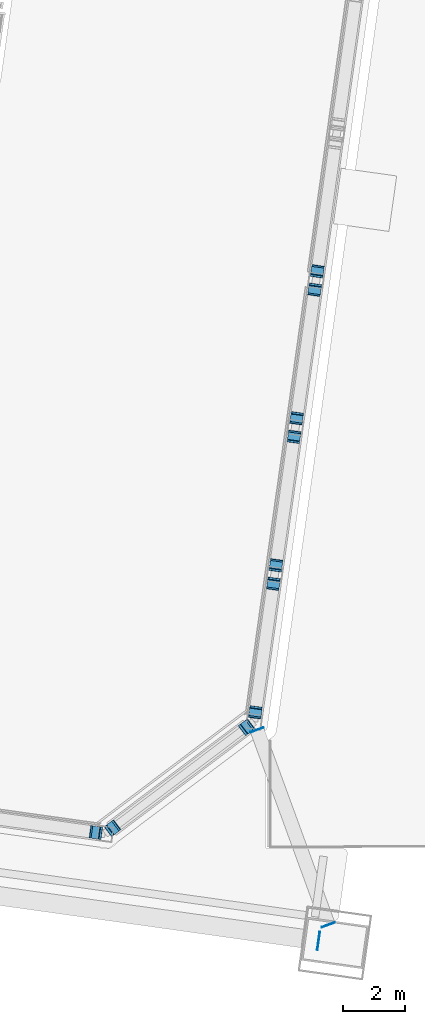
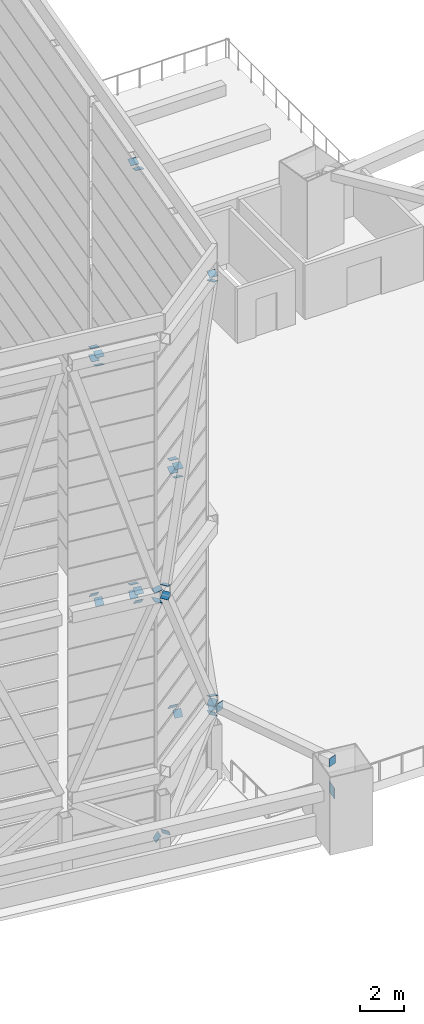
# One storey, part 32 of 45: 33 discrete accessories.
"""IFC4 building model written with IfcOpenShell, lengths in metres."""

import ifcopenshell
import ifcopenshell.guid

model = None  # the IFC model being written
_history = None  # IfcOwnerHistory: only IFC2X3 demands one
_inside = {}  # id of a spatial element -> (the spatial element, [elements in it])
_under = {}  # id of a project, library or spatial element -> (it, [spatial elements below it])
_declared = {}  # id of a project -> (the project, [libraries it declares])
_typed = {}  # id of a type object -> (the type object, [elements of that type])
_made_of = {}  # id of a material, layer set ... -> (it, [elements and type objects made of it])


def new_model(schema):
    """Start an empty IFC model of exactly this schema.

    Asked for "IFC4X3", IfcOpenShell would pick the latest addendum, in which some entities
    have other attributes; the version numbers below select the first issue.
    IFC2X3 requires an IfcOwnerHistory on every rooted entity: one is made here for all.
    """
    global model, _history
    if schema == "IFC4X3":
        model = ifcopenshell.file(schema_version=(4, 3, 0, 0))
    else:
        model = ifcopenshell.file(schema=schema)
    _inside.clear()
    _under.clear()
    _declared.clear()
    _typed.clear()
    _made_of.clear()
    _history = None
    if model.schema == "IFC2X3":
        org = make("IfcOrganization", Name="unknown")
        user = make(
            "IfcPersonAndOrganization",
            ThePerson=make("IfcPerson", FamilyName="unknown"),
            TheOrganization=org,
        )
        app = make(
            "IfcApplication",
            ApplicationDeveloper=org,
            Version="unknown",
            ApplicationFullName="unknown",
            ApplicationIdentifier="unknown",
        )
        _history = make(
            "IfcOwnerHistory",
            OwningUser=user,
            OwningApplication=app,
            ChangeAction="ADDED",
            CreationDate=0,
        )
    return model


def make(cls, **values):
    """One entity of the class cls with the attributes given. An attribute that is None is left unset."""
    return model.create_entity(
        cls, **{name: value for name, value in values.items() if value is not None}
    )


def rooted(cls, **values):
    """An entity with a GlobalId (a new one), such as an element, a storey or a relation."""
    return make(cls, GlobalId=ifcopenshell.guid.new(), OwnerHistory=_history, **values)


def si_unit(unit_type, name, prefix=None):
    """IfcSIUnit, for example si_unit("LENGTHUNIT", "METRE", prefix="MILLI")."""
    return make("IfcSIUnit", UnitType=unit_type, Prefix=prefix, Name=name)


def assignment(units):
    """IfcUnitAssignment: the units of a project."""
    return None if units is None else make("IfcUnitAssignment", Units=units)


def point(xyz):
    """IfcCartesianPoint."""
    return None if xyz is None else make("IfcCartesianPoint", Coordinates=xyz)


def direction(xyz):
    """IfcDirection."""
    return None if xyz is None else make("IfcDirection", DirectionRatios=xyz)


def frame(location, z_axis=None, x_axis=None):
    """IfcAxis2Placement3D, a coordinate frame: its origin and axes. An axis left out is left unset."""
    return make(
        "IfcAxis2Placement3D",
        Location=point(location),
        Axis=direction(z_axis),
        RefDirection=direction(x_axis),
    )


def frame_2d(location, x_axis=None):
    """IfcAxis2Placement2D, a coordinate frame in the plane: its origin and x axis."""
    return make(
        "IfcAxis2Placement2D", Location=point(location), RefDirection=direction(x_axis)
    )


def origin():
    """The frame at (0, 0, 0) with its axes left unset."""
    return frame((0.0, 0.0, 0.0))


def origin_2d():
    """The frame at (0, 0) in the plane with its x axis left unset."""
    return frame_2d((0.0, 0.0))


def place(relative_to, where):
    """IfcLocalPlacement: puts the frame where relative to a parent placement (None: the world)."""
    return make(
        "IfcLocalPlacement", PlacementRelTo=relative_to, RelativePlacement=where
    )


def context(
    kind, dimensions, precision=None, world=None, true_north=None, identifier=None
):
    """IfcGeometricRepresentationContext, for example the 3D "Model" context."""
    return make(
        "IfcGeometricRepresentationContext",
        ContextIdentifier=identifier,
        ContextType=kind,
        CoordinateSpaceDimension=dimensions,
        Precision=precision,
        WorldCoordinateSystem=world,
        TrueNorth=true_north,
    )


def subcontext(parent, identifier, kind, view, scale=None):
    """IfcGeometricRepresentationSubContext, for example "Body" below "Model"."""
    return make(
        "IfcGeometricRepresentationSubContext",
        ContextIdentifier=identifier,
        ContextType=kind,
        ParentContext=parent,
        TargetScale=scale,
        TargetView=view,
    )


def project(units=None, contexts=None):
    """IfcProject with its units and contexts."""
    return rooted(
        "IfcProject",
        Name="project",
        RepresentationContexts=contexts,
        UnitsInContext=assignment(units),
    )


def spatial(cls, under=None, at=None, **own):
    """A site, building, storey or space (cls), placed at a placement, below another one or the project."""
    s = rooted(cls, ObjectPlacement=at, **own)
    if under is not None:
        _under.setdefault(under.id(), (under, []))[1].append(s)
    return s


def profile(cls, at=None, kind="AREA", **sizes):
    """A parametric profile (cls). Its sizes go by their IFC names, for example OverallWidth=200.0."""
    return make(cls, ProfileType=kind, Position=at, **sizes)


def rectangle(**sizes):
    """IfcRectangleProfileDef."""
    return profile("IfcRectangleProfileDef", **sizes)


def extrude(swept, where, along, depth):
    """IfcExtrudedAreaSolid: the profile swept, set in the frame where, extruded along a direction by depth."""
    return make(
        "IfcExtrudedAreaSolid",
        SweptArea=swept,
        Position=where,
        ExtrudedDirection=direction(along),
        Depth=depth,
    )


def shape(context_of_items, identifier, shape_type, items):
    """IfcShapeRepresentation: the items that make up one representation, for example the "Body"."""
    return make(
        "IfcShapeRepresentation",
        ContextOfItems=context_of_items,
        RepresentationIdentifier=identifier,
        RepresentationType=shape_type,
        Items=items,
    )


def material(Name=None, Category=None):
    """IfcMaterial."""
    return make("IfcMaterial", Name=Name, Category=Category)


def material_profile(
    of_material, cross_section, Name=None, Category=None, Priority=None
):
    """IfcMaterialProfile: a cross section and its material."""
    return make(
        "IfcMaterialProfile",
        Name=Name,
        Material=of_material,
        Profile=cross_section,
        Priority=Priority,
        Category=Category,
    )


def profile_set(profiles, Name=None, composite=None):
    """IfcMaterialProfileSet."""
    return make(
        "IfcMaterialProfileSet",
        Name=Name,
        MaterialProfiles=profiles,
        CompositeProfile=composite,
    )


def made_of(thing, what):
    """Note that an element or type object is made of a material, layer set ...; save() writes the relation."""
    if what is not None:
        _made_of.setdefault(what.id(), (what, []))[1].append(thing)
    return thing


def type_object(cls, material=None, **own):
    """A type object (cls), such as IfcWallType, which elements share."""
    return made_of(rooted(cls, **own), material)


def element(
    cls,
    number,
    at=None,
    inside=None,
    cuts=None,
    type_object=None,
    material=None,
    context=None,
    identifier="Body",
    shape_type=None,
    held_by="IfcProductDefinitionShape",
    body=None,
    shapes=None,
    **own,
):
    """One element of the class cls, such as IfcWall. Its Tag is "e" and its number.

    at: its placement. inside: the storey or other place that contains it. cuts: it is an
    opening in that element (IfcRelVoidsElement). A single representation is given by context,
    identifier, shape_type and body (its items); several are given by shapes. held_by: the class
    of the entity that holds the representations. save() writes the other relations.
    """
    e = rooted(cls, Tag="e%d" % number, ObjectPlacement=at, **own)
    if body is not None:
        shapes = [shape(context, identifier, shape_type, body)]
    if shapes is not None:
        e.Representation = make(held_by, Representations=shapes)
    if inside is not None:
        _inside.setdefault(inside.id(), (inside, []))[1].append(e)
    if cuts is not None:
        rooted(
            "IfcRelVoidsElement", RelatingBuildingElement=cuts, RelatedOpeningElement=e
        )
    if type_object is not None:
        _typed.setdefault(type_object.id(), (type_object, []))[1].append(e)
    return made_of(e, material)


def aggregate(whole, parts):
    """IfcRelAggregates: a whole, such as a stair, and the parts it consists of."""
    return rooted("IfcRelAggregates", RelatingObject=whole, RelatedObjects=parts)


def save(model, path):
    """Write the relations noted so far, then the file.

    IfcRelAggregates (storeys below a building ...), IfcRelContainedInSpatialStructure (elements
    in a storey), IfcRelDefinesByType, IfcRelAssociatesMaterial and IfcRelDeclares: one each for
    every whole, place, type object, material and project.
    """
    for whole, parts in _under.values():
        aggregate(whole, parts)
    for where, things in _inside.values():
        rooted(
            "IfcRelContainedInSpatialStructure",
            RelatedElements=things,
            RelatingStructure=where,
        )
    for kind, things in _typed.values():
        rooted("IfcRelDefinesByType", RelatedObjects=things, RelatingType=kind)
    for what, things in _made_of.values():
        rooted("IfcRelAssociatesMaterial", RelatedObjects=things, RelatingMaterial=what)
    for by, libraries in _declared.values():
        rooted("IfcRelDeclares", RelatingContext=by, RelatedDefinitions=libraries)
    model.write(path)


model = new_model("IFC4")

# Units and contexts
model_context = context("Model", 3, precision=1e-05, world=origin(), true_north=direction((0.0, 1.0)))
body_context = subcontext(model_context, "Body", "Model", "MODEL_VIEW")
ifc_project = project(units=[si_unit("LENGTHUNIT", "METRE"), si_unit("AREAUNIT", "SQUARE_METRE"), si_unit("VOLUMEUNIT", "CUBIC_METRE"), si_unit("PLANEANGLEUNIT", "RADIAN"), si_unit("MASSUNIT", "GRAM", prefix="KILO")], contexts=[model_context])

# Site, building, storey
site_placement = place(None, origin())
site = spatial("IfcSite", under=ifc_project, at=site_placement, CompositionType="ELEMENT")
building_placement = place(site_placement, origin())
building = spatial("IfcBuilding", under=site, at=building_placement, Name="Mirante Cascada Hotel Towers", CompositionType="ELEMENT")
storey_placement = place(building_placement, frame((0.0, 0.0, 269.8)))
storey = spatial("IfcBuildingStorey", under=building, at=storey_placement, Name="Roof garden", CompositionType="ELEMENT", Elevation=269.8)

# Discrete accessories
ifc_material_1 = material(Name="Steel ASTM A572 Gr 50", Category="steel")
ifc_material_profile_1 = material_profile(ifc_material_1, rectangle(XDim=0.4, YDim=0.4, at=origin_2d()), Name="Connection plate 400x400x25 ASTM A572 Gr 50")
ifc_profile_set_1 = profile_set([ifc_material_profile_1], Name="Steel ASTM A572 Gr 50")
discrete_accessory_type_1 = type_object("IfcDiscreteAccessoryType", Name="Connection plate 400x400x25 ASTM A572 Gr 50", PredefinedType="BRACKET", material=ifc_profile_set_1)
for number, where, z_axis, x_axis, name in (
    (1, (-21.2609, -21.754, 0.5938), (0.6936389, 0.5212316, 0.4971747), (-0.6007391, 0.7994451, 0.0), "Connection plate HT-D"),
    (2, (-16.9553, -18.5095, 3.6938), (0.6936389, 0.5212316, 0.4971747), (-0.6007391, 0.7994451, 0.0), "Connection plate HT-D"),
):
    element("IfcDiscreteAccessory", number, at=place(storey_placement, frame(where, z_axis=z_axis, x_axis=x_axis)), inside=storey, type_object=discrete_accessory_type_1, Name=name, PredefinedType="BRACKET", context=body_context, shape_type="SweptSolid", body=[
        extrude(rectangle(XDim=0.4, YDim=0.4, at=origin_2d()), origin(), (0.0, 0.0, 1.0), 0.0249),
    ])
discrete_accessory_1_placement = place(storey_placement, frame((-16.0834, -13.8848, 0.5925), z_axis=(-0.1116566, -0.7935596, 0.5981605), x_axis=(0.9902459, -0.1393311, 0.0)))
element("IfcDiscreteAccessory", 3, at=discrete_accessory_1_placement, inside=storey, type_object=discrete_accessory_type_1, Name="Connection plate HT-D", PredefinedType="BRACKET", context=body_context, shape_type="SweptSolid", body=[
    extrude(rectangle(XDim=0.4, YDim=0.4, at=origin_2d()), origin(), (0.0, 0.0, 1.0), 0.0251),
])
discrete_accessory_2_placement = place(storey_placement, frame((-16.6639, -18.0155, 3.6925), z_axis=(-0.1120108, -0.792076, 0.6000576), x_axis=(0.9901485, -0.140021, 0.0)))
element("IfcDiscreteAccessory", 4, at=discrete_accessory_2_placement, inside=storey, type_object=discrete_accessory_type_1, Name="Connection plate HT-D", PredefinedType="BRACKET", context=body_context, shape_type="SweptSolid", body=[
    extrude(rectangle(XDim=0.4, YDim=0.4, at=origin_2d()), origin(), (0.0, 0.0, 1.0), 0.025),
])
for number, where, z_axis, x_axis, name in (
    (5, (-16.0027, -13.3106, 0.5925), (0.1116566, 0.7935596, 0.5981605), (-0.9902459, 0.1393311, 0.0), "Connection plate HT-D"),
    (6, (-15.4222, -9.18, 3.6925), (0.1116566, 0.7935596, 0.5981605), (-0.9902459, 0.1393311, 0.0), "Connection plate HT-D"),
    (7, (-14.7554, -4.4353, 0.5925), (-0.107716, -0.7939068, 0.5984222), (0.9909208, -0.1344465, 0.0), "Connection plate HT-D"),
    (8, (-15.3359, -8.5659, 3.6925), (-0.1116566, -0.7935596, 0.5981605), (0.9902459, -0.1393311, 0.0), "Connection plate HT-D"),
):
    element("IfcDiscreteAccessory", number, at=place(storey_placement, frame(where, z_axis=z_axis, x_axis=x_axis)), inside=storey, type_object=discrete_accessory_type_1, Name=name, PredefinedType="BRACKET", context=body_context, shape_type="SweptSolid", body=[
        extrude(rectangle(XDim=0.4, YDim=0.4, at=origin_2d()), origin(), (0.0, 0.0, 1.0), 0.0251),
    ])
for number, where, z_axis, x_axis, name in (
    (9, (-14.6746, -3.861, 0.5925), (0.1080579, 0.7924249, 0.6003219), (-0.9908302, 0.1351132, 0.0), "Connection plate HT-D"),
    (10, (-21.779, -21.8877, 0.5926), (-0.7973471, 0.1121895, 0.5930018), (-0.1393311, -0.9902459, 0.0), "Connection plate HT-D"),
):
    element("IfcDiscreteAccessory", number, at=place(storey_placement, frame(where, z_axis=z_axis, x_axis=x_axis)), inside=storey, type_object=discrete_accessory_type_1, Name=name, PredefinedType="BRACKET", context=body_context, shape_type="SweptSolid", body=[
        extrude(rectangle(XDim=0.4, YDim=0.4, at=origin_2d()), origin(), (0.0, 0.0, 1.0), 0.025),
    ])
for number, where, z_axis, x_axis, name in (
    (11, (-16.9417, -18.4993, 4.2892), (-0.3973309, -0.3010083, 0.8669038), (0.6038577, -0.7970921, 0.0), "Connection plate CF-B"),
    (12, (-21.2473, -21.7438, 13.6892), (-0.3978086, -0.2973519, 0.867946), (0.5987047, -0.8009698, 0.0), "Connection plate CF-B"),
    (13, (-16.666, -18.0304, 4.2886), (0.0561439, 0.4010279, 0.9143437), (-0.9903417, 0.1386478, 0.0), "Connection plate CF-B"),
    (14, (-16.0855, -13.8998, 13.6886), (0.0561439, 0.4010279, 0.9143437), (-0.9903417, 0.1386478, 0.0), "Connection plate CF-B"),
    (15, (-15.4201, -9.165, 4.2886), (-0.0561439, -0.4010279, 0.9143437), (0.9903417, -0.1386478, 0.0), "Connection plate CF-B"),
    (16, (-16.0006, -13.2956, 13.6886), (-0.0561439, -0.4010279, 0.9143437), (0.9903417, -0.1386478, 0.0), "Connection plate CF-B"),
):
    element("IfcDiscreteAccessory", number, at=place(storey_placement, frame(where, z_axis=z_axis, x_axis=x_axis)), inside=storey, type_object=discrete_accessory_type_1, Name=name, PredefinedType="BRACKET", context=body_context, shape_type="SweptSolid", body=[
        extrude(rectangle(XDim=0.4, YDim=0.4, at=origin_2d()), origin(), (0.0, 0.0, 1.0), 0.0249),
    ])
for number, where, z_axis, x_axis, name in (
    (17, (-15.338, -8.5809, 4.2886), (0.0560534, 0.4043852, 0.9128695), (-0.9905294, 0.1373011, 0.0), "Connection plate CF-B"),
    (18, (-14.7575, -4.4503, 13.6886), (0.0600432, 0.4042912, 0.9126574), (-0.9891508, 0.1469036, 0.0), "Connection plate CF-B"),
):
    element("IfcDiscreteAccessory", number, at=place(storey_placement, frame(where, z_axis=z_axis, x_axis=x_axis)), inside=storey, type_object=discrete_accessory_type_1, Name=name, PredefinedType="BRACKET", context=body_context, shape_type="SweptSolid", body=[
        extrude(rectangle(XDim=0.4, YDim=0.4, at=origin_2d()), origin(), (0.0, 0.0, 1.0), 0.025),
    ])
for number, where, z_axis, x_axis, name in (
    (19, (-14.6725, -3.8461, 13.6886), (-0.0601402, -0.4009345, 0.9141306), (0.9889364, -0.1483405, 0.0), "Connection plate CF-B"),
    (20, (-21.7939, -21.8856, 13.6886), (0.4010279, -0.0561439, 0.9143437), (0.1386478, 0.9903417, 0.0), "Connection plate CF-B"),
):
    element("IfcDiscreteAccessory", number, at=place(storey_placement, frame(where, z_axis=z_axis, x_axis=x_axis)), inside=storey, type_object=discrete_accessory_type_1, Name=name, PredefinedType="BRACKET", context=body_context, shape_type="SweptSolid", body=[
        extrude(rectangle(XDim=0.4, YDim=0.4, at=origin_2d()), origin(), (0.0, 0.0, 1.0), 0.0249),
    ])
for number, where, z_axis, x_axis, name in (
    (21, (-21.256, -21.7503, 14.2884), (0.2997962, 0.2238478, 0.9273696), (-0.5982892, 0.8012802, 0.0), "Connection plate CF-B"),
    (22, (-16.9504, -18.5058, 27.6384), (0.2997962, 0.2238478, 0.9273696), (-0.5982892, 0.8012802, 0.0), "Connection plate CF-B"),
):
    element("IfcDiscreteAccessory", number, at=place(storey_placement, frame(where, z_axis=z_axis, x_axis=x_axis)), inside=storey, type_object=discrete_accessory_type_1, Name=name, PredefinedType="BRACKET", context=body_context, shape_type="SweptSolid", body=[
        extrude(rectangle(XDim=0.4, YDim=0.4, at=origin_2d()), origin(), (0.0, 0.0, 1.0), 0.025),
    ])
for number, where, z_axis, x_axis, name in (
    (23, (-16.0843, -13.8911, 14.2881), (-0.0400899, -0.2966653, 0.9541397), (0.9909924, -0.1339179, 0.0), "Connection plate CF-B"),
    (24, (-16.6648, -18.0217, 27.6381), (-0.0400899, -0.2966653, 0.9541397), (0.9909924, -0.1339179, 0.0), "Connection plate CF-B"),
    (25, (-16.0018, -13.3043, 14.2881), (0.0400899, 0.2966653, 0.9541397), (-0.9909924, 0.1339179, 0.0), "Connection plate CF-B"),
    (26, (-15.4213, -9.1737, 27.6381), (0.0400899, 0.2966653, 0.9541397), (-0.9909924, 0.1339179, 0.0), "Connection plate CF-B"),
    (27, (-14.7562, -4.4416, 14.2881), (-0.0441436, -0.2929531, 0.9551072), (0.9888368, -0.1490028, 0.0), "Connection plate CF-B"),
    (28, (-15.3368, -8.5722, 27.6381), (-0.0401373, -0.2930026, 0.9552688), (0.9907474, -0.1357188, 0.0), "Connection plate CF-B"),
    (29, (-14.6738, -3.8548, 14.2881), (0.0440915, 0.2966152, 0.9539787), (-0.9891316, 0.1470331, 0.0), "Connection plate CF-B"),
    (30, (-21.7852, -21.8868, 14.2881), (-0.2966653, 0.0400899, 0.9541397), (-0.1339179, -0.9909924, 0.0), "Connection plate CF-B"),
):
    element("IfcDiscreteAccessory", number, at=place(storey_placement, frame(where, z_axis=z_axis, x_axis=x_axis)), inside=storey, type_object=discrete_accessory_type_1, Name=name, PredefinedType="BRACKET", context=body_context, shape_type="SweptSolid", body=[
        extrude(rectangle(XDim=0.4, YDim=0.4, at=origin_2d()), origin(), (0.0, 0.0, 1.0), 0.0249),
    ])
ifc_material_2 = material(Name="Steel ASTM A572 Gr 50", Category="steel")
ifc_material_profile_2 = material_profile(ifc_material_2, rectangle(XDim=0.45, YDim=0.45, at=origin_2d()), Name="Connection plate 450x450x25 ASTM A572 Gr 50")
ifc_profile_set_2 = profile_set([ifc_material_profile_2], Name="Steel ASTM A572 Gr 50")
discrete_accessory_type_2 = type_object("IfcDiscreteAccessoryType", Name="Connection plate 450x450x25 ASTM A572 Gr 50", PredefinedType="BRACKET", material=ifc_profile_set_2)
for number, where, z_axis, x_axis, name in (
    (31, (-14.3171, -24.8662, 4.0), (-0.3436675, 0.9390914, 0.0), (-0.9390914, -0.3436675, 0.0), "Connection plate CF-T"),
    (32, (-16.6056, -18.6003, 4.0), (-0.3436675, 0.9390914, 0.0), (-0.9390914, -0.3436675, 0.0), "Connection plate CF-T"),
):
    element("IfcDiscreteAccessory", number, at=place(storey_placement, frame(where, z_axis=z_axis, x_axis=x_axis)), inside=storey, type_object=discrete_accessory_type_2, Name=name, PredefinedType="BRACKET", context=body_context, shape_type="SweptSolid", body=[
        extrude(rectangle(XDim=0.45, YDim=0.45, at=origin_2d()), origin(), (0.0, 0.0, 1.0), 0.025),
    ])
ifc_material_3 = material(Name="Steel ASTM A572 Gr 50", Category="steel")
ifc_material_profile_3 = material_profile(ifc_material_3, rectangle(XDim=0.6, YDim=0.6, at=origin_2d()), Name="Connection plate 600x600x25 ASTM A572 Gr 50")
ifc_profile_set_3 = profile_set([ifc_material_profile_3], Name="Steel ASTM A572 Gr 50")
discrete_accessory_type_3 = type_object("IfcDiscreteAccessoryType", Name="Connection plate 600x600x25 ASTM A572 Gr 50", PredefinedType="BRACKET", material=ifc_profile_set_3)
discrete_accessory_3_placement = place(storey_placement, frame((-14.62, -25.3679, 2.8), z_axis=(-0.9901876, 0.1397442, 0.0), x_axis=(-0.1397442, -0.9901876, 0.0)))
element("IfcDiscreteAccessory", 33, at=discrete_accessory_3_placement, inside=storey, type_object=discrete_accessory_type_3, Name="Connection plate NCH", PredefinedType="BRACKET", context=body_context, shape_type="SweptSolid", body=[
    extrude(rectangle(XDim=0.6, YDim=0.6, at=origin_2d()), origin(), (0.0, 0.0, 1.0), 0.025),
])

save(model, "model.ifc")
